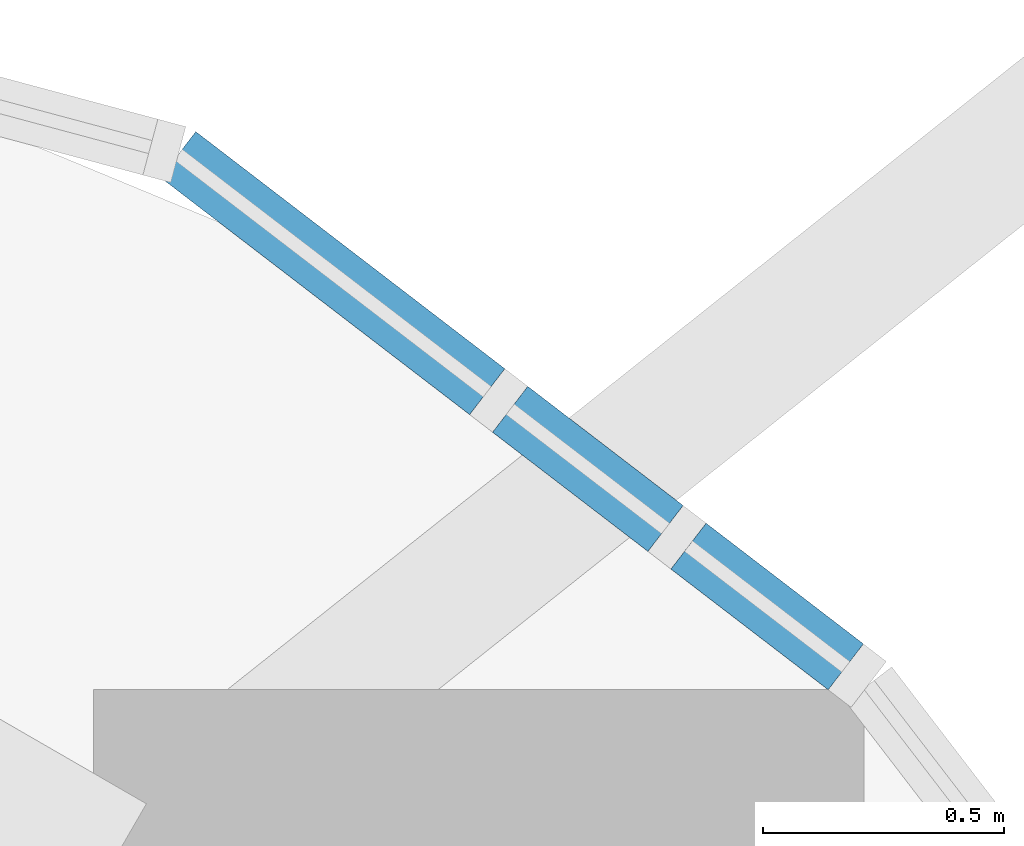
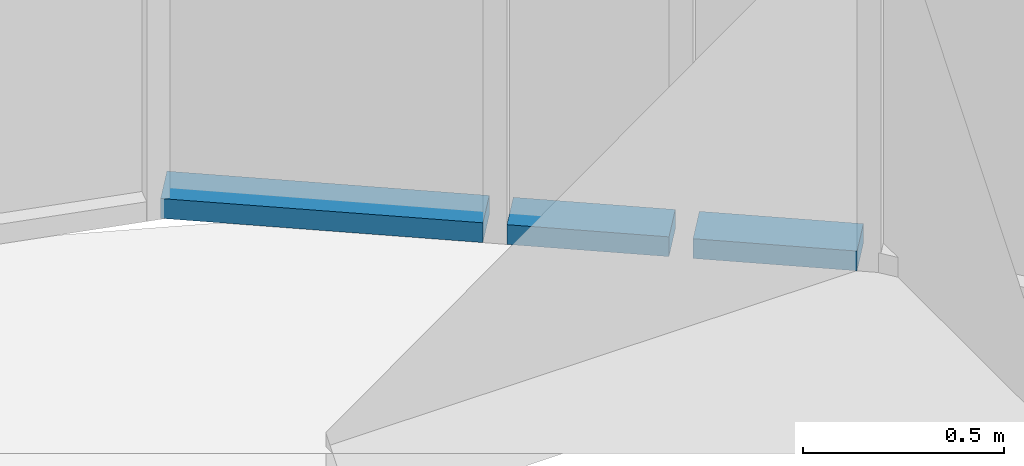
# One storey, part 17 of 33: 3 members, 3 elements without a shape of their own.
"""IFC4 building model written with IfcOpenShell, lengths in metres."""

from ifc_helpers import new_model, si_unit, direction, frame, origin, origin_2d, place, context, subcontext, project, spatial, rectangle, extrude, material, layer, layer_set, material_profile, profile_set, type_object, element, aggregate, save


model = new_model("IFC4")

# Units and contexts
model_context = context("Model", 3, precision=1e-05, world=origin(), true_north=direction((0.0, 1.0)))
body_context = subcontext(model_context, "Body", "Model", "MODEL_VIEW")
ifc_project = project(units=[si_unit("LENGTHUNIT", "METRE"), si_unit("AREAUNIT", "SQUARE_METRE"), si_unit("VOLUMEUNIT", "CUBIC_METRE"), si_unit("PLANEANGLEUNIT", "RADIAN"), si_unit("MASSUNIT", "GRAM", prefix="KILO")], contexts=[model_context])

# Site, building, storey
site_placement = place(None, origin())
site = spatial("IfcSite", under=ifc_project, at=site_placement, CompositionType="ELEMENT")
building_placement = place(site_placement, origin())
building = spatial("IfcBuilding", under=site, at=building_placement, Name="Marenta Gate Hotel Tower", CompositionType="ELEMENT")
storey_placement = place(building_placement, frame((0.0, 0.0, 151.699951171875)))
storey = spatial("IfcBuildingStorey", under=building, at=storey_placement, Name="L35", CompositionType="ELEMENT", Elevation=151.699951171875)

# Curtain wall, member
ifc_material_1 = material(Name="Tinted insulated glass in bronze anodised frame", Category="glass")
ifc_layer = layer(ifc_material_1, 0.1201171875)
ifc_layer_set = layer_set([ifc_layer], Name="Tinted insulated glass in bronze anodised frame")
curtain_wall_type = type_object("IfcCurtainWallType", Name="Tower unitised curtain wall CW1", PredefinedType="NOTDEFINED", material=ifc_layer_set)
curtain_wall_1_placement = place(storey_placement, origin())
curtain_wall_1 = element("IfcCurtainWall", 1, at=curtain_wall_1_placement, inside=storey, type_object=curtain_wall_type, Name="CW1 run G22", PredefinedType="NOTDEFINED")
ifc_material_2 = material(Name="Bronze anodised aluminium", Category="aluminium")
ifc_material_profile = material_profile(ifc_material_2, rectangle(XDim=0.1201171875, YDim=0.06005859375, at=origin_2d()), Name="Transom CW1 60x120 bronze anodised aluminium")
ifc_profile_set = profile_set([ifc_material_profile], Name="Bronze anodised aluminium")
member_type = type_object("IfcMemberType", Name="Transom CW1 60x120 bronze anodised aluminium", PredefinedType="USERDEFINED", material=ifc_profile_set)
member_1_placement = place(storey_placement, frame((25.597900390625, 26.382080078125, 0.030029296875), z_axis=(-0.793482352244, 0.608593260459, 0.0), x_axis=(-0.608593260459, -0.793482352244, 0.0)))
member_1 = element("IfcMember", 2, at=member_1_placement, type_object=member_type, Name="CW1 transom 1.1", ObjectType="TRANSOM", PredefinedType="USERDEFINED", context=body_context, shape_type="SweptSolid", body=[
    extrude(rectangle(XDim=0.1201171875, YDim=0.06005859375, at=origin_2d()), origin(), (0.0, 0.0, 1.0), 0.411865234375),
])
aggregate(curtain_wall_1, [member_1])

curtain_wall_2_placement = place(storey_placement, origin())
curtain_wall_2 = element("IfcCurtainWall", 3, at=curtain_wall_2_placement, inside=storey, type_object=curtain_wall_type, Name="CW1 run G23", PredefinedType="NOTDEFINED")
member_2_placement = place(storey_placement, frame((25.223388671875, 26.66943359375, 0.030029296875), z_axis=(-0.793471096038, 0.608607935992, 0.0), x_axis=(-0.608607935992, -0.793471096038, 0.0)))
member_2 = element("IfcMember", 4, at=member_2_placement, type_object=member_type, Name="CW1 transom 1.1", ObjectType="TRANSOM", PredefinedType="USERDEFINED", context=body_context, shape_type="SweptSolid", body=[
    extrude(rectangle(XDim=0.1201171875, YDim=0.06005859375, at=origin_2d()), origin(), (0.0, 0.0, 1.0), 0.40673828125),
])
aggregate(curtain_wall_2, [member_2])

curtain_wall_3_placement = place(storey_placement, origin())
curtain_wall_3 = element("IfcCurtainWall", 5, at=curtain_wall_3_placement, inside=storey, type_object=curtain_wall_type, Name="CW1 run G24", PredefinedType="NOTDEFINED")
member_3_placement = place(storey_placement, frame((24.85302734375, 26.95361328125, 0.030029296875), z_axis=(-0.793397450201, 0.608703939542, 0.0), x_axis=(-0.608703939542, -0.793397450201, 0.0)))
member_3 = element("IfcMember", 6, at=member_3_placement, type_object=member_type, Name="CW1 transom 1.1", ObjectType="TRANSOM", PredefinedType="USERDEFINED", context=body_context, shape_type="SweptSolid", body=[
    extrude(rectangle(XDim=0.1201171875, YDim=0.06005859375, at=origin_2d()), origin(), (0.0, 0.0, 1.0), 0.80908203125),
])
aggregate(curtain_wall_3, [member_3])

save(model, "model.ifc")
